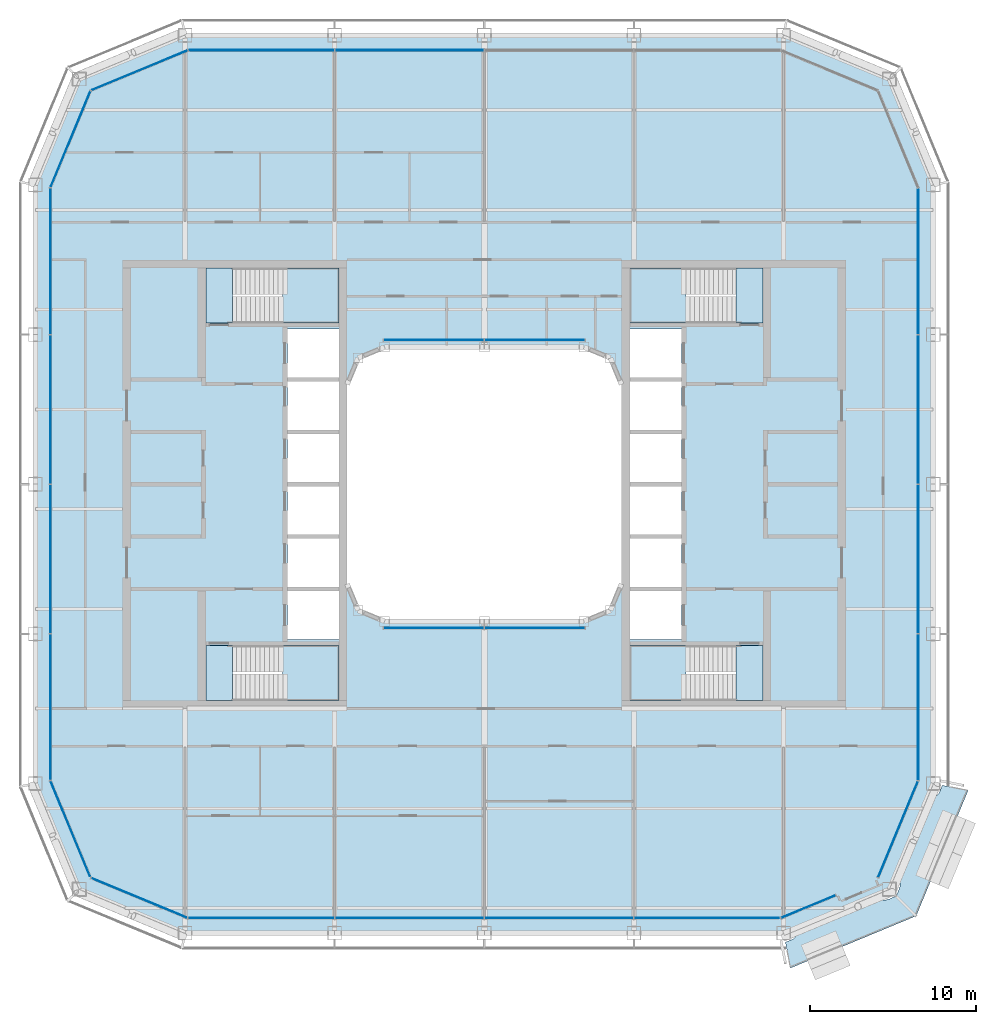
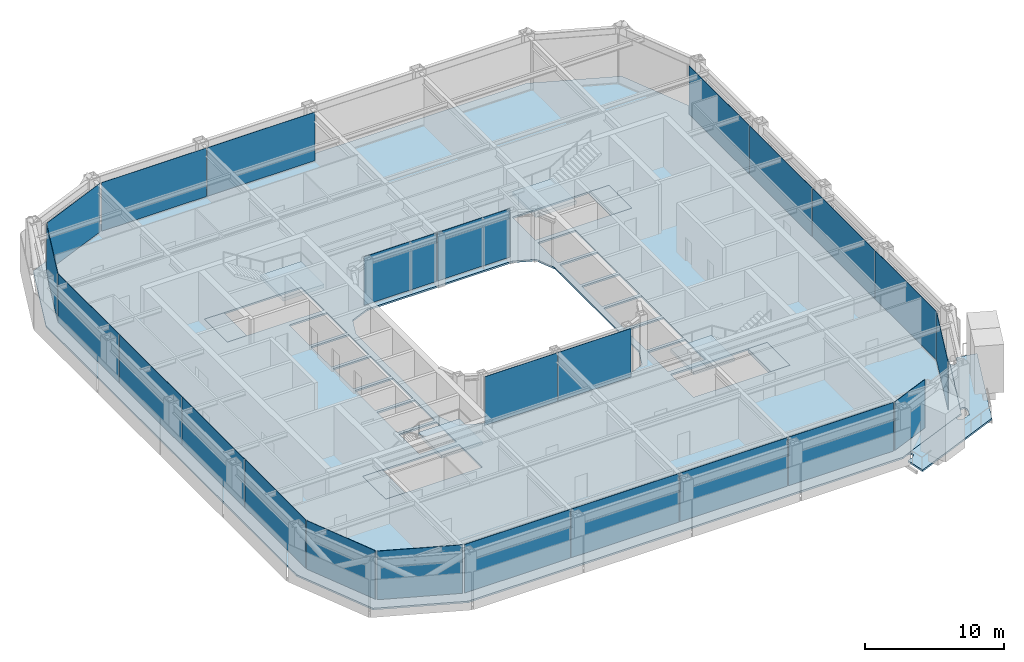
# One storey, part 11 of 22: 24 plates, 10 slabs, 16 elements without a shape of their own.
"""IFC4 building model written with IfcOpenShell, lengths in metres."""

import ifcopenshell
import ifcopenshell.guid

model = None  # the IFC model being written
_history = None  # IfcOwnerHistory: only IFC2X3 demands one
_inside = {}  # id of a spatial element -> (the spatial element, [elements in it])
_under = {}  # id of a project, library or spatial element -> (it, [spatial elements below it])
_declared = {}  # id of a project -> (the project, [libraries it declares])
_typed = {}  # id of a type object -> (the type object, [elements of that type])
_made_of = {}  # id of a material, layer set ... -> (it, [elements and type objects made of it])


def new_model(schema):
    """Start an empty IFC model of exactly this schema.

    Asked for "IFC4X3", IfcOpenShell would pick the latest addendum, in which some entities
    have other attributes; the version numbers below select the first issue.
    IFC2X3 requires an IfcOwnerHistory on every rooted entity: one is made here for all.
    """
    global model, _history
    if schema == "IFC4X3":
        model = ifcopenshell.file(schema_version=(4, 3, 0, 0))
    else:
        model = ifcopenshell.file(schema=schema)
    _inside.clear()
    _under.clear()
    _declared.clear()
    _typed.clear()
    _made_of.clear()
    _history = None
    if model.schema == "IFC2X3":
        org = make("IfcOrganization", Name="unknown")
        user = make(
            "IfcPersonAndOrganization",
            ThePerson=make("IfcPerson", FamilyName="unknown"),
            TheOrganization=org,
        )
        app = make(
            "IfcApplication",
            ApplicationDeveloper=org,
            Version="unknown",
            ApplicationFullName="unknown",
            ApplicationIdentifier="unknown",
        )
        _history = make(
            "IfcOwnerHistory",
            OwningUser=user,
            OwningApplication=app,
            ChangeAction="ADDED",
            CreationDate=0,
        )
    return model


def make(cls, **values):
    """One entity of the class cls with the attributes given. An attribute that is None is left unset."""
    return model.create_entity(
        cls, **{name: value for name, value in values.items() if value is not None}
    )


def rooted(cls, **values):
    """An entity with a GlobalId (a new one), such as an element, a storey or a relation."""
    return make(cls, GlobalId=ifcopenshell.guid.new(), OwnerHistory=_history, **values)


def si_unit(unit_type, name, prefix=None):
    """IfcSIUnit, for example si_unit("LENGTHUNIT", "METRE", prefix="MILLI")."""
    return make("IfcSIUnit", UnitType=unit_type, Prefix=prefix, Name=name)


def assignment(units):
    """IfcUnitAssignment: the units of a project."""
    return None if units is None else make("IfcUnitAssignment", Units=units)


def point(xyz):
    """IfcCartesianPoint."""
    return None if xyz is None else make("IfcCartesianPoint", Coordinates=xyz)


def direction(xyz):
    """IfcDirection."""
    return None if xyz is None else make("IfcDirection", DirectionRatios=xyz)


def frame(location, z_axis=None, x_axis=None):
    """IfcAxis2Placement3D, a coordinate frame: its origin and axes. An axis left out is left unset."""
    return make(
        "IfcAxis2Placement3D",
        Location=point(location),
        Axis=direction(z_axis),
        RefDirection=direction(x_axis),
    )


def frame_2d(location, x_axis=None):
    """IfcAxis2Placement2D, a coordinate frame in the plane: its origin and x axis."""
    return make(
        "IfcAxis2Placement2D", Location=point(location), RefDirection=direction(x_axis)
    )


def origin():
    """The frame at (0, 0, 0) with its axes left unset."""
    return frame((0.0, 0.0, 0.0))


def origin_2d():
    """The frame at (0, 0) in the plane with its x axis left unset."""
    return frame_2d((0.0, 0.0))


def place(relative_to, where):
    """IfcLocalPlacement: puts the frame where relative to a parent placement (None: the world)."""
    return make(
        "IfcLocalPlacement", PlacementRelTo=relative_to, RelativePlacement=where
    )


def context(
    kind, dimensions, precision=None, world=None, true_north=None, identifier=None
):
    """IfcGeometricRepresentationContext, for example the 3D "Model" context."""
    return make(
        "IfcGeometricRepresentationContext",
        ContextIdentifier=identifier,
        ContextType=kind,
        CoordinateSpaceDimension=dimensions,
        Precision=precision,
        WorldCoordinateSystem=world,
        TrueNorth=true_north,
    )


def subcontext(parent, identifier, kind, view, scale=None):
    """IfcGeometricRepresentationSubContext, for example "Body" below "Model"."""
    return make(
        "IfcGeometricRepresentationSubContext",
        ContextIdentifier=identifier,
        ContextType=kind,
        ParentContext=parent,
        TargetScale=scale,
        TargetView=view,
    )


def project(units=None, contexts=None):
    """IfcProject with its units and contexts."""
    return rooted(
        "IfcProject",
        Name="project",
        RepresentationContexts=contexts,
        UnitsInContext=assignment(units),
    )


def spatial(cls, under=None, at=None, **own):
    """A site, building, storey or space (cls), placed at a placement, below another one or the project."""
    s = rooted(cls, ObjectPlacement=at, **own)
    if under is not None:
        _under.setdefault(under.id(), (under, []))[1].append(s)
    return s


def polyline(points):
    """IfcPolyline through the points."""
    return make("IfcPolyline", Points=[point(p) for p in points])


def profile(cls, at=None, kind="AREA", **sizes):
    """A parametric profile (cls). Its sizes go by their IFC names, for example OverallWidth=200.0."""
    return make(cls, ProfileType=kind, Position=at, **sizes)


def rectangle(**sizes):
    """IfcRectangleProfileDef."""
    return profile("IfcRectangleProfileDef", **sizes)


def outline(outer, holes=None, kind="AREA"):
    """IfcArbitraryClosedProfileDef: a profile drawn as a closed curve; with holes, ...WithVoids."""
    if holes is None:
        return make("IfcArbitraryClosedProfileDef", ProfileType=kind, OuterCurve=outer)
    return make(
        "IfcArbitraryProfileDefWithVoids",
        ProfileType=kind,
        OuterCurve=outer,
        InnerCurves=holes,
    )


def extrude(swept, where, along, depth):
    """IfcExtrudedAreaSolid: the profile swept, set in the frame where, extruded along a direction by depth."""
    return make(
        "IfcExtrudedAreaSolid",
        SweptArea=swept,
        Position=where,
        ExtrudedDirection=direction(along),
        Depth=depth,
    )


def shape(context_of_items, identifier, shape_type, items):
    """IfcShapeRepresentation: the items that make up one representation, for example the "Body"."""
    return make(
        "IfcShapeRepresentation",
        ContextOfItems=context_of_items,
        RepresentationIdentifier=identifier,
        RepresentationType=shape_type,
        Items=items,
    )


def material(Name=None, Category=None):
    """IfcMaterial."""
    return make("IfcMaterial", Name=Name, Category=Category)


def layer(
    of_material, thickness, ventilated=None, Name=None, Category=None, Priority=None
):
    """IfcMaterialLayer: one layer of a wall or slab, of a material (None: an air gap)."""
    return make(
        "IfcMaterialLayer",
        Material=of_material,
        LayerThickness=thickness,
        IsVentilated=ventilated,
        Name=Name,
        Category=Category,
        Priority=Priority,
    )


def layer_set(layers, Name=None):
    """IfcMaterialLayerSet."""
    return make("IfcMaterialLayerSet", MaterialLayers=layers, LayerSetName=Name)


def made_of(thing, what):
    """Note that an element or type object is made of a material, layer set ...; save() writes the relation."""
    if what is not None:
        _made_of.setdefault(what.id(), (what, []))[1].append(thing)
    return thing


def type_object(cls, material=None, **own):
    """A type object (cls), such as IfcWallType, which elements share."""
    return made_of(rooted(cls, **own), material)


def element(
    cls,
    number,
    at=None,
    inside=None,
    cuts=None,
    type_object=None,
    material=None,
    context=None,
    identifier="Body",
    shape_type=None,
    held_by="IfcProductDefinitionShape",
    body=None,
    shapes=None,
    **own,
):
    """One element of the class cls, such as IfcWall. Its Tag is "e" and its number.

    at: its placement. inside: the storey or other place that contains it. cuts: it is an
    opening in that element (IfcRelVoidsElement). A single representation is given by context,
    identifier, shape_type and body (its items); several are given by shapes. held_by: the class
    of the entity that holds the representations. save() writes the other relations.
    """
    e = rooted(cls, Tag="e%d" % number, ObjectPlacement=at, **own)
    if body is not None:
        shapes = [shape(context, identifier, shape_type, body)]
    if shapes is not None:
        e.Representation = make(held_by, Representations=shapes)
    if inside is not None:
        _inside.setdefault(inside.id(), (inside, []))[1].append(e)
    if cuts is not None:
        rooted(
            "IfcRelVoidsElement", RelatingBuildingElement=cuts, RelatedOpeningElement=e
        )
    if type_object is not None:
        _typed.setdefault(type_object.id(), (type_object, []))[1].append(e)
    return made_of(e, material)


def aggregate(whole, parts):
    """IfcRelAggregates: a whole, such as a stair, and the parts it consists of."""
    return rooted("IfcRelAggregates", RelatingObject=whole, RelatedObjects=parts)


def save(model, path):
    """Write the relations noted so far, then the file.

    IfcRelAggregates (storeys below a building ...), IfcRelContainedInSpatialStructure (elements
    in a storey), IfcRelDefinesByType, IfcRelAssociatesMaterial and IfcRelDeclares: one each for
    every whole, place, type object, material and project.
    """
    for whole, parts in _under.values():
        aggregate(whole, parts)
    for where, things in _inside.values():
        rooted(
            "IfcRelContainedInSpatialStructure",
            RelatedElements=things,
            RelatingStructure=where,
        )
    for kind, things in _typed.values():
        rooted("IfcRelDefinesByType", RelatedObjects=things, RelatingType=kind)
    for what, things in _made_of.values():
        rooted("IfcRelAssociatesMaterial", RelatedObjects=things, RelatingMaterial=what)
    for by, libraries in _declared.values():
        rooted("IfcRelDeclares", RelatingContext=by, RelatedDefinitions=libraries)
    model.write(path)


model = new_model("IFC4")

# Units and contexts
model_context = context("Model", 3, precision=1e-05, world=origin(), true_north=direction((0.0, 1.0)))
body_context = subcontext(model_context, "Body", "Model", "MODEL_VIEW")
ifc_project = project(units=[si_unit("LENGTHUNIT", "METRE"), si_unit("AREAUNIT", "SQUARE_METRE"), si_unit("VOLUMEUNIT", "CUBIC_METRE"), si_unit("PLANEANGLEUNIT", "RADIAN"), si_unit("MASSUNIT", "GRAM", prefix="KILO")], contexts=[model_context])

# Site, building, storey
site_placement = place(None, origin())
site = spatial("IfcSite", under=ifc_project, at=site_placement, CompositionType="ELEMENT")
building_placement = place(site_placement, origin())
building = spatial("IfcBuilding", under=site, at=building_placement, Name="Siwar Civic Tower", CompositionType="ELEMENT")
storey_placement = place(building_placement, frame((0.0, 0.0, 219.699951171875)))
storey = spatial("IfcBuildingStorey", under=building, at=storey_placement, Name="L47", CompositionType="ELEMENT", Elevation=219.699951171875)

# Stair, slabs
ifc_material_1 = material(Name="Concrete C40/50", Category="concrete")
stair_type = type_object("IfcStairType", Name="CORE-STAIR", PredefinedType="TWO_STRAIGHT_RUN_STAIR", material=ifc_material_1)
stair_1_placement = place(storey_placement, origin())
stair_1 = element("IfcStair", 1, at=stair_1_placement, inside=storey, type_object=stair_type, Name="Exit stair ST1", PredefinedType="TWO_STRAIGHT_RUN_STAIR")
ifc_material_2 = material(Name="Concrete C40/50", Category="concrete")
ifc_layer_1 = layer(ifc_material_2, 0.300048828125)
ifc_layer_set_1 = layer_set([ifc_layer_1], Name="Concrete C40/50")
slab_type_1 = type_object("IfcSlabType", Name="CORE-STAIR-LANDING", PredefinedType="LANDING", material=ifc_layer_set_1)
slab_1_placement = place(storey_placement, frame((0.0, 0.0, -0.300048828125)))
slab_1 = element("IfcSlab", 2, at=slab_1_placement, type_object=slab_type_1, Name="ST1 landing 1", PredefinedType="LANDING", context=body_context, shape_type="SweptSolid", body=[
    extrude(outline(polyline([(-15.14990234375, 13.0), (-16.75, 13.0), (-16.75, 9.699951171875), (-15.14990234375, 9.699951171875), (-15.14990234375, 13.0)])), origin(), (0.0, 0.0, 1.0), 0.300048828125),
])
slab_2_placement = place(storey_placement, frame((0.0, 0.0, 1.949951171875)))
slab_2 = element("IfcSlab", 3, at=slab_2_placement, type_object=slab_type_1, Name="ST1 landing 2", PredefinedType="LANDING", context=body_context, shape_type="SweptSolid", body=[
    extrude(outline(polyline([(-8.75, 13.0), (-12.139892578125, 13.0), (-12.139892578125, 9.699951171875), (-8.75, 9.699951171875), (-8.75, 13.0)])), origin(), (0.0, 0.0, 1.0), 0.300048828125),
])
aggregate(stair_1, [slab_1, slab_2])

stair_2_placement = place(storey_placement, origin())
stair_2 = element("IfcStair", 4, at=stair_2_placement, inside=storey, type_object=stair_type, Name="Exit stair ST2", PredefinedType="TWO_STRAIGHT_RUN_STAIR")
slab_3_placement = place(storey_placement, frame((0.0, 0.0, -0.300048828125)))
slab_3 = element("IfcSlab", 5, at=slab_3_placement, type_object=slab_type_1, Name="ST2 landing 1", PredefinedType="LANDING", context=body_context, shape_type="SweptSolid", body=[
    extrude(outline(polyline([(-15.14990234375, -9.699951171875), (-16.75, -9.699951171875), (-16.75, -13.0), (-15.14990234375, -13.0), (-15.14990234375, -9.699951171875)])), origin(), (0.0, 0.0, 1.0), 0.300048828125),
])
slab_4_placement = place(storey_placement, frame((0.0, 0.0, 1.949951171875)))
slab_4 = element("IfcSlab", 6, at=slab_4_placement, type_object=slab_type_1, Name="ST2 landing 2", PredefinedType="LANDING", context=body_context, shape_type="SweptSolid", body=[
    extrude(outline(polyline([(-8.75, -9.699951171875), (-12.139892578125, -9.699951171875), (-12.139892578125, -13.0), (-8.75, -13.0), (-8.75, -9.699951171875)])), origin(), (0.0, 0.0, 1.0), 0.300048828125),
])
aggregate(stair_2, [slab_3, slab_4])

stair_3_placement = place(storey_placement, origin())
stair_3 = element("IfcStair", 7, at=stair_3_placement, inside=storey, type_object=stair_type, Name="Exit stair ST3", PredefinedType="TWO_STRAIGHT_RUN_STAIR")
slab_5_placement = place(storey_placement, frame((0.0, 0.0, -0.300048828125)))
slab_5 = element("IfcSlab", 8, at=slab_5_placement, type_object=slab_type_1, Name="ST3 landing 1", PredefinedType="LANDING", context=body_context, shape_type="SweptSolid", body=[
    extrude(outline(polyline([(15.14990234375, 9.699951171875), (16.75, 9.699951171875), (16.75, 13.0), (15.14990234375, 13.0), (15.14990234375, 9.699951171875)])), origin(), (0.0, 0.0, 1.0), 0.300048828125),
])
slab_6_placement = place(storey_placement, frame((0.0, 0.0, 1.949951171875)))
slab_6 = element("IfcSlab", 9, at=slab_6_placement, type_object=slab_type_1, Name="ST3 landing 2", PredefinedType="LANDING", context=body_context, shape_type="SweptSolid", body=[
    extrude(outline(polyline([(8.75, 9.699951171875), (12.139892578125, 9.699951171875), (12.139892578125, 13.0), (8.75, 13.0), (8.75, 9.699951171875)])), origin(), (0.0, 0.0, 1.0), 0.300048828125),
])
aggregate(stair_3, [slab_5, slab_6])

stair_4_placement = place(storey_placement, origin())
stair_4 = element("IfcStair", 10, at=stair_4_placement, inside=storey, type_object=stair_type, Name="Exit stair ST4", PredefinedType="TWO_STRAIGHT_RUN_STAIR")
slab_7_placement = place(storey_placement, frame((0.0, 0.0, -0.300048828125)))
slab_7 = element("IfcSlab", 11, at=slab_7_placement, type_object=slab_type_1, Name="ST4 landing 1", PredefinedType="LANDING", context=body_context, shape_type="SweptSolid", body=[
    extrude(outline(polyline([(15.14990234375, -13.0), (16.75, -13.0), (16.75, -9.699951171875), (15.14990234375, -9.699951171875), (15.14990234375, -13.0)])), origin(), (0.0, 0.0, 1.0), 0.300048828125),
])
slab_8_placement = place(storey_placement, frame((0.0, 0.0, 1.949951171875)))
slab_8 = element("IfcSlab", 12, at=slab_8_placement, type_object=slab_type_1, Name="ST4 landing 2", PredefinedType="LANDING", context=body_context, shape_type="SweptSolid", body=[
    extrude(outline(polyline([(8.75, -13.0), (12.139892578125, -13.0), (12.139892578125, -9.699951171875), (8.75, -9.699951171875), (8.75, -13.0)])), origin(), (0.0, 0.0, 1.0), 0.300048828125),
])
aggregate(stair_4, [slab_7, slab_8])

# Slab
ifc_material_3 = material(Name="Concrete C40/50", Category="concrete")
ifc_layer_2 = layer(ifc_material_3, 0.14990234375)
ifc_layer_set_2 = layer_set([ifc_layer_2], Name="Concrete C40/50")
slab_type_2 = type_object("IfcSlabType", Name="ENV-BALCONY DECK 150", PredefinedType="FLOOR", material=ifc_layer_set_2)
slab_9_placement = place(storey_placement, frame((0.0, 0.0, -0.1494140625)))
element("IfcSlab", 13, at=slab_9_placement, inside=storey, type_object=slab_type_2, Name="Tree balcony deck SE", PredefinedType="FLOOR", context=body_context, shape_type="SweptSolid", body=[
    extrude(outline(polyline([(24.657470703125, -24.82080078125), (24.657470703125, -24.82080078125), (24.649658203125, -24.82421875), (24.40869140625, -24.924560546875), (24.362060546875, -24.94384765625), (24.35986328125, -24.94482421875), (24.305419921875, -24.96533203125), (24.300537109375, -24.967041015625), (24.244873046875, -24.98388671875), (24.238037109375, -24.985595703125), (24.189208984375, -24.99560546875), (24.183837890625, -24.99658203125), (24.13427734375, -25.002685546875), (24.12890625, -25.003173828125), (24.0791015625, -25.006103515625), (24.073974609375, -25.006103515625), (24.024169921875, -25.005615234375), (24.0185546875, -25.00537109375), (24.0126953125, -25.004638671875), (23.970947265625, -24.99755859375), (23.96337890625, -24.995849609375), (23.9560546875, -24.993408203125), (23.922607421875, -24.98046875), (23.91748046875, -24.978271484375), (23.88525390625, -24.962646484375), (23.880615234375, -24.96044921875), (23.849365234375, -24.942626953125), (23.84326171875, -24.93896484375), (23.837646484375, -24.9345703125), (23.83251953125, -24.9296875), (23.810546875, -24.906982421875), (23.804931640625, -24.900634765625), (23.80029296875, -24.8935546875), (23.796142578125, -24.885986328125), (23.78369140625, -24.85888671875), (23.78173828125, -24.85400390625), (23.771240234375, -24.826171875), (23.768798828125, -24.818115234375), (23.76708984375, -24.8095703125), (23.7666015625, -24.80126953125), (23.765869140625, -24.769775390625), (23.76611328125, -24.762451171875), (23.766845703125, -24.75537109375), (23.7685546875, -24.74853515625), (23.77783203125, -24.7138671875), (23.779541015625, -24.708984375), (23.791259765625, -24.675048828125), (23.793212890625, -24.669921875), (23.8076171875, -24.636962890625), (23.81103515625, -24.630126953125), (23.815185546875, -24.62353515625), (23.839599609375, -24.5888671875), (23.84326171875, -24.58447265625), (23.846923828125, -24.580078125), (23.85009765625, -24.57666015625), (18.531494140625, -26.77978515625), (18.5654296875, -26.7802734375), (18.5712890625, -26.780517578125), (18.576904296875, -26.78125), (18.61865234375, -26.788330078125), (18.626220703125, -26.789794921875), (18.633544921875, -26.792236328125), (18.6669921875, -26.805419921875), (18.672119140625, -26.8076171875), (18.70458984375, -26.822998046875), (18.709228515625, -26.825439453125), (18.740234375, -26.84326171875), (18.746337890625, -26.846923828125), (18.751953125, -26.851318359375), (18.75732421875, -26.856201171875), (18.779052734375, -26.87890625), (18.78466796875, -26.88525390625), (18.78955078125, -26.892333984375), (18.79345703125, -26.899658203125), (18.805908203125, -26.927001953125), (18.80810546875, -26.931884765625), (18.818603515625, -26.959716796875), (18.821044921875, -26.9677734375), (18.82275390625, -26.97607421875), (18.8232421875, -26.984619140625), (18.823974609375, -27.01611328125), (18.82373046875, -27.023193359375), (18.82275390625, -27.0302734375), (18.8212890625, -27.037353515625), (18.811767578125, -27.072021484375), (18.810302734375, -27.076904296875), (18.79833984375, -27.11083984375), (18.79638671875, -27.115966796875), (18.7822265625, -27.14892578125), (18.77880859375, -27.15576171875), (18.774658203125, -27.162353515625), (18.75, -27.197021484375), (18.74658203125, -27.201416015625), (18.74267578125, -27.205810546875), (18.7080078125, -27.241455078125), (18.704345703125, -27.2451171875), (18.667236328125, -27.278564453125), (18.663330078125, -27.281982421875), (18.623779296875, -27.312744140625), (18.619384765625, -27.31591796875), (18.577880859375, -27.343505859375), (18.57177734375, -27.34716796875), (18.520751953125, -27.374755859375), (18.51611328125, -27.377197265625), (18.463134765625, -27.4013671875), (18.4609375, -27.40234375), (18.453125, -27.405517578125), (18.425048828125, -27.417236328125), (18.425048828125, -27.425048828125), (18.406494140625, -27.425048828125), (18.17333984375, -27.522216796875), (18.16552734375, -27.525390625), (18.16552734375, -27.525390625), (18.15869140625, -27.52783203125), (18.13916015625, -27.533935546875), (18.13232421875, -27.53564453125), (18.12548828125, -27.53662109375), (18.107177734375, -27.538818359375), (18.417724609375, -29.10009765625), (25.97119140625, -25.97119140625), (29.10009765625, -18.417724609375), (27.5361328125, -18.106689453125), (27.5361328125, -18.107421875), (27.535400390625, -18.1240234375), (27.53466796875, -18.1328125), (27.53271484375, -18.141357421875), (27.5283203125, -18.156982421875), (27.525390625, -18.16552734375), (27.5234375, -18.170166015625), (27.522216796875, -18.17333984375), (27.515625, -18.18896484375), (27.49951171875, -18.227783203125), (27.494140625, -18.240234375), (27.425048828125, -18.406494140625), (27.425048828125, -18.425048828125), (27.417236328125, -18.425048828125), (27.405517578125, -18.453125), (27.40234375, -18.4609375), (27.4013671875, -18.463134765625), (27.377197265625, -18.51611328125), (27.374755859375, -18.520751953125), (27.34716796875, -18.57177734375), (27.343505859375, -18.577880859375), (27.31591796875, -18.619384765625), (27.312744140625, -18.623779296875), (27.281982421875, -18.663330078125), (27.278564453125, -18.667236328125), (27.2451171875, -18.704345703125), (27.241455078125, -18.7080078125), (27.205810546875, -18.74267578125), (27.201416015625, -18.74658203125), (27.197021484375, -18.75), (27.162353515625, -18.774658203125), (27.15576171875, -18.77880859375), (27.14892578125, -18.7822265625), (27.115966796875, -18.79638671875), (27.11083984375, -18.79833984375), (27.076904296875, -18.810302734375), (27.072021484375, -18.811767578125), (27.037353515625, -18.8212890625), (27.0302734375, -18.82275390625), (27.023193359375, -18.82373046875), (27.01611328125, -18.823974609375), (26.984619140625, -18.8232421875), (26.97607421875, -18.82275390625), (26.9677734375, -18.821044921875), (26.959716796875, -18.818603515625), (26.931884765625, -18.80810546875), (26.927001953125, -18.805908203125), (26.899658203125, -18.79345703125), (26.892333984375, -18.78955078125), (26.88525390625, -18.78466796875), (26.87890625, -18.779052734375), (26.856201171875, -18.75732421875), (26.851318359375, -18.751953125), (26.846923828125, -18.746337890625), (26.84326171875, -18.740234375), (26.825439453125, -18.709228515625), (26.822998046875, -18.70458984375), (26.8076171875, -18.672119140625), (26.805419921875, -18.6669921875), (26.792236328125, -18.633544921875), (26.789794921875, -18.626220703125), (26.788330078125, -18.61865234375), (26.78125, -18.576904296875), (26.780517578125, -18.5712890625), (26.7802734375, -18.5654296875), (26.77978515625, -18.531494140625), (24.57666015625, -23.85009765625), (24.580078125, -23.846923828125), (24.58447265625, -23.84326171875), (24.5888671875, -23.839599609375), (24.62353515625, -23.815185546875), (24.630126953125, -23.81103515625), (24.636962890625, -23.8076171875), (24.669921875, -23.793212890625), (24.675048828125, -23.791259765625), (24.708984375, -23.779541015625), (24.7138671875, -23.77783203125), (24.74853515625, -23.7685546875), (24.75537109375, -23.766845703125), (24.762451171875, -23.76611328125), (24.769775390625, -23.765869140625), (24.80126953125, -23.7666015625), (24.8095703125, -23.76708984375), (24.818115234375, -23.768798828125), (24.826171875, -23.771240234375), (24.85400390625, -23.78173828125), (24.85888671875, -23.78369140625), (24.885986328125, -23.796142578125), (24.8935546875, -23.80029296875), (24.900634765625, -23.804931640625), (24.906982421875, -23.810546875), (24.9296875, -23.83251953125), (24.9345703125, -23.837646484375), (24.93896484375, -23.84326171875), (24.942626953125, -23.849365234375), (24.96044921875, -23.880615234375), (24.962646484375, -23.88525390625), (24.978271484375, -23.91748046875), (24.98046875, -23.922607421875), (24.993408203125, -23.9560546875), (24.995849609375, -23.96337890625), (24.99755859375, -23.970947265625), (25.004638671875, -24.0126953125), (25.00537109375, -24.0185546875), (25.005615234375, -24.024169921875), (25.006103515625, -24.073974609375), (25.006103515625, -24.0791015625), (25.003173828125, -24.12890625), (25.002685546875, -24.13427734375), (24.99658203125, -24.183837890625), (24.99560546875, -24.189208984375), (24.985595703125, -24.238037109375), (24.98388671875, -24.244873046875), (24.967041015625, -24.300537109375), (24.96533203125, -24.305419921875), (24.94482421875, -24.35986328125), (24.94384765625, -24.362060546875), (24.924560546875, -24.40869140625), (24.82421875, -24.649658203125), (24.82080078125, -24.657470703125), (24.81689453125, -24.66552734375), (24.808837890625, -24.6796875), (24.80419921875, -24.68701171875), (24.798583984375, -24.693603515625), (24.7890625, -24.7041015625), (24.7890625, -24.7890625), (24.712646484375, -24.7890625), (24.695556640625, -24.801025390625), (24.686279296875, -24.806640625), (24.662353515625, -24.818603515625), (24.657470703125, -24.82080078125), (24.657470703125, -24.82080078125), (24.657470703125, -24.82080078125), (24.657470703125, -24.82080078125)])), origin(), (0.0, 0.0, 1.0), 0.1494140625),
])

# Curtain wall, plates
ifc_material_4 = material(Name="Aluminium and glass", Category="aluminium")
ifc_layer_3 = layer(ifc_material_4, 0.179931640625)
ifc_layer_set_3 = layer_set([ifc_layer_3], Name="Aluminium and glass")
curtain_wall_type_1 = type_object("IfcCurtainWallType", Name="ENV-CW-C", PredefinedType="NOTDEFINED", material=ifc_layer_set_3)
curtain_wall_1_placement = place(storey_placement, origin())
curtain_wall_1 = element("IfcCurtainWall", 14, at=curtain_wall_1_placement, inside=storey, type_object=curtain_wall_type_1, Name="Curtain wall C S", PredefinedType="NOTDEFINED")
ifc_material_5 = material(Name="Glass clear laminated", Category="glass")
ifc_layer_4 = layer(ifc_material_5, 0.031982421875)
ifc_layer_set_4 = layer_set([ifc_layer_4], Name="Glass clear laminated")
plate_type_1 = type_object("IfcPlateType", Name="ENV-PANEL-C", PredefinedType="CURTAIN_PANEL", material=ifc_layer_set_4)
plate_1_placement = place(storey_placement, frame((-13.410400390625, -26.10009765625, 0.10009765625), z_axis=(0.0, 0.0, 1.0), x_axis=(1.0, 0.0, 0.0)))
plate_1 = element("IfcPlate", 15, at=plate_1_placement, type_object=plate_type_1, Name="Curtain panel C S 1", PredefinedType="CURTAIN_PANEL", context=body_context, shape_type="SweptSolid", body=[
    extrude(rectangle(XDim=8.760986328125, YDim=0.031982421875, at=origin_2d()), origin(), (0.0, 0.0, 1.0), 4.25),
])
plate_2_placement = place(storey_placement, frame((-4.5, -26.10009765625, 0.10009765625), z_axis=(0.0, 0.0, 1.0), x_axis=(1.0, 0.0, 0.0)))
plate_2 = element("IfcPlate", 16, at=plate_2_placement, type_object=plate_type_1, Name="Curtain panel C S 2", PredefinedType="CURTAIN_PANEL", context=body_context, shape_type="SweptSolid", body=[
    extrude(rectangle(XDim=8.93994140625, YDim=0.031982421875, at=origin_2d()), origin(), (0.0, 0.0, 1.0), 4.25),
])
plate_3_placement = place(storey_placement, frame((4.5, -26.10009765625, 0.10009765625), z_axis=(0.0, 0.0, 1.0), x_axis=(1.0, 0.0, 0.0)))
plate_3 = element("IfcPlate", 17, at=plate_3_placement, type_object=plate_type_1, Name="Curtain panel C S 3", PredefinedType="CURTAIN_PANEL", context=body_context, shape_type="SweptSolid", body=[
    extrude(rectangle(XDim=8.93994140625, YDim=0.031982421875, at=origin_2d()), origin(), (0.0, 0.0, 1.0), 4.25),
])
plate_4_placement = place(storey_placement, frame((13.373046875, -26.10009765625, 0.10009765625), z_axis=(0.0, 0.0, 1.0), x_axis=(1.0, 0.0, 0.0)))
plate_4 = element("IfcPlate", 18, at=plate_4_placement, type_object=plate_type_1, Name="Curtain panel C S 4", PredefinedType="CURTAIN_PANEL", context=body_context, shape_type="SweptSolid", body=[
    extrude(rectangle(XDim=8.68603515625, YDim=0.031982421875, at=origin_2d()), origin(), (0.0, 0.0, 1.0), 4.25),
])
aggregate(curtain_wall_1, [plate_1, plate_2, plate_3, plate_4])

curtain_wall_2_placement = place(storey_placement, origin())
curtain_wall_2 = element("IfcCurtainWall", 19, at=curtain_wall_2_placement, inside=storey, type_object=curtain_wall_type_1, Name="Curtain wall C E", PredefinedType="NOTDEFINED")
plate_5_placement = place(storey_placement, frame((26.10009765625, -13.410400390625, 0.10009765625), z_axis=(0.0, 0.0, 1.0), x_axis=(0.0, 1.0, 0.0)))
plate_5 = element("IfcPlate", 20, at=plate_5_placement, type_object=plate_type_1, Name="Curtain panel C E 1", PredefinedType="CURTAIN_PANEL", context=body_context, shape_type="SweptSolid", body=[
    extrude(rectangle(XDim=8.760986328125, YDim=0.031982421875, at=origin_2d()), origin(), (0.0, 0.0, 1.0), 4.25),
])
plate_6_placement = place(storey_placement, frame((26.10009765625, -4.5, 0.10009765625), z_axis=(0.0, 0.0, 1.0), x_axis=(0.0, 1.0, 0.0)))
plate_6 = element("IfcPlate", 21, at=plate_6_placement, type_object=plate_type_1, Name="Curtain panel C E 2", PredefinedType="CURTAIN_PANEL", context=body_context, shape_type="SweptSolid", body=[
    extrude(rectangle(XDim=8.93994140625, YDim=0.031982421875, at=origin_2d()), origin(), (0.0, 0.0, 1.0), 4.25),
])
plate_7_placement = place(storey_placement, frame((26.10009765625, 4.5, 0.10009765625), z_axis=(0.0, 0.0, 1.0), x_axis=(0.0, 1.0, 0.0)))
plate_7 = element("IfcPlate", 22, at=plate_7_placement, type_object=plate_type_1, Name="Curtain panel C E 3", PredefinedType="CURTAIN_PANEL", context=body_context, shape_type="SweptSolid", body=[
    extrude(rectangle(XDim=8.93994140625, YDim=0.031982421875, at=origin_2d()), origin(), (0.0, 0.0, 1.0), 4.25),
])
plate_8_placement = place(storey_placement, frame((26.10009765625, 13.373046875, 0.10009765625), z_axis=(0.0, 0.0, 1.0), x_axis=(0.0, 1.0, 0.0)))
plate_8 = element("IfcPlate", 23, at=plate_8_placement, type_object=plate_type_1, Name="Curtain panel C E 4", PredefinedType="CURTAIN_PANEL", context=body_context, shape_type="SweptSolid", body=[
    extrude(rectangle(XDim=8.68603515625, YDim=0.031982421875, at=origin_2d()), origin(), (0.0, 0.0, 1.0), 4.25),
])
aggregate(curtain_wall_2, [plate_5, plate_6, plate_7, plate_8])

curtain_wall_3_placement = place(storey_placement, origin())
curtain_wall_3 = element("IfcCurtainWall", 24, at=curtain_wall_3_placement, inside=storey, type_object=curtain_wall_type_1, Name="Curtain wall C N", PredefinedType="NOTDEFINED")
plate_9_placement = place(storey_placement, frame((-4.5, 26.10009765625, 0.10009765625), z_axis=(0.0, 0.0, 1.0), x_axis=(-1.0, 0.0, 0.0)))
plate_9 = element("IfcPlate", 25, at=plate_9_placement, type_object=plate_type_1, Name="Curtain panel C N 3", PredefinedType="CURTAIN_PANEL", context=body_context, shape_type="SweptSolid", body=[
    extrude(rectangle(XDim=8.93994140625, YDim=0.031982421875, at=origin_2d()), origin(), (0.0, 0.0, 1.0), 4.25),
])
plate_10_placement = place(storey_placement, frame((-13.373046875, 26.10009765625, 0.10009765625), z_axis=(0.0, 0.0, 1.0), x_axis=(-1.0, 0.0, 0.0)))
plate_10 = element("IfcPlate", 26, at=plate_10_placement, type_object=plate_type_1, Name="Curtain panel C N 4", PredefinedType="CURTAIN_PANEL", context=body_context, shape_type="SweptSolid", body=[
    extrude(rectangle(XDim=8.68603515625, YDim=0.031982421875, at=origin_2d()), origin(), (0.0, 0.0, 1.0), 4.25),
])
aggregate(curtain_wall_3, [plate_9, plate_10])

curtain_wall_4_placement = place(storey_placement, origin())
curtain_wall_4 = element("IfcCurtainWall", 27, at=curtain_wall_4_placement, inside=storey, type_object=curtain_wall_type_1, Name="Curtain wall C W", PredefinedType="NOTDEFINED")
plate_11_placement = place(storey_placement, frame((-26.10009765625, 13.410400390625, 0.10009765625), z_axis=(0.0, 0.0, 1.0), x_axis=(0.0, -1.0, 0.0)))
plate_11 = element("IfcPlate", 28, at=plate_11_placement, type_object=plate_type_1, Name="Curtain panel C W 1", PredefinedType="CURTAIN_PANEL", context=body_context, shape_type="SweptSolid", body=[
    extrude(rectangle(XDim=8.760986328125, YDim=0.031982421875, at=origin_2d()), origin(), (0.0, 0.0, 1.0), 4.25),
])
plate_12_placement = place(storey_placement, frame((-26.10009765625, 4.5, 0.10009765625), z_axis=(0.0, 0.0, 1.0), x_axis=(0.0, -1.0, 0.0)))
plate_12 = element("IfcPlate", 29, at=plate_12_placement, type_object=plate_type_1, Name="Curtain panel C W 2", PredefinedType="CURTAIN_PANEL", context=body_context, shape_type="SweptSolid", body=[
    extrude(rectangle(XDim=8.93994140625, YDim=0.031982421875, at=origin_2d()), origin(), (0.0, 0.0, 1.0), 4.25),
])
plate_13_placement = place(storey_placement, frame((-26.10009765625, -4.5, 0.10009765625), z_axis=(0.0, 0.0, 1.0), x_axis=(0.0, -1.0, 0.0)))
plate_13 = element("IfcPlate", 30, at=plate_13_placement, type_object=plate_type_1, Name="Curtain panel C W 3", PredefinedType="CURTAIN_PANEL", context=body_context, shape_type="SweptSolid", body=[
    extrude(rectangle(XDim=8.93994140625, YDim=0.031982421875, at=origin_2d()), origin(), (0.0, 0.0, 1.0), 4.25),
])
plate_14_placement = place(storey_placement, frame((-26.10009765625, -13.373046875, 0.10009765625), z_axis=(0.0, 0.0, 1.0), x_axis=(0.0, -1.0, 0.0)))
plate_14 = element("IfcPlate", 31, at=plate_14_placement, type_object=plate_type_1, Name="Curtain panel C W 4", PredefinedType="CURTAIN_PANEL", context=body_context, shape_type="SweptSolid", body=[
    extrude(rectangle(XDim=8.68603515625, YDim=0.031982421875, at=origin_2d()), origin(), (0.0, 0.0, 1.0), 4.25),
])
aggregate(curtain_wall_4, [plate_11, plate_12, plate_13, plate_14])

# Curtain wall, plate
ifc_material_6 = material(Name="Aluminium clad insulated panel", Category="aluminium")
ifc_layer_5 = layer(ifc_material_6, 0.179931640625)
ifc_layer_set_5 = layer_set([ifc_layer_5], Name="Aluminium clad insulated panel")
curtain_wall_type_2 = type_object("IfcCurtainWallType", Name="ENV-CW-CX", PredefinedType="NOTDEFINED", material=ifc_layer_set_5)
curtain_wall_5_placement = place(storey_placement, origin())
curtain_wall_5 = element("IfcCurtainWall", 32, at=curtain_wall_5_placement, inside=storey, type_object=curtain_wall_type_2, Name="Curtain wall C SE1", PredefinedType="NOTDEFINED")
ifc_material_7 = material(Name="Aluminium clad insulated panel", Category="aluminium")
ifc_layer_6 = layer(ifc_material_7, 0.031982421875)
ifc_layer_set_6 = layer_set([ifc_layer_6], Name="Aluminium clad insulated panel")
plate_type_2 = type_object("IfcPlateType", Name="ENV-PANEL-CX", PredefinedType="CURTAIN_PANEL", material=ifc_layer_set_6)
plate_15_placement = place(storey_placement, frame((19.4873046875, -25.40966796875, 0.10009765625), z_axis=(0.0, 0.0, 1.0), x_axis=(0.923879532511, 0.382683432365, 0.0)))
plate_15 = element("IfcPlate", 33, at=plate_15_placement, type_object=plate_type_2, Name="Curtain panel C SE1 1", PredefinedType="CURTAIN_PANEL", context=body_context, shape_type="SweptSolid", body=[
    extrude(rectangle(XDim=3.54736328125, YDim=0.031982421875, at=origin_2d()), origin(), (0.0, 0.0, 1.0), 4.25),
])
aggregate(curtain_wall_5, [plate_15])

curtain_wall_6_placement = place(storey_placement, origin())
curtain_wall_6 = element("IfcCurtainWall", 34, at=curtain_wall_6_placement, inside=storey, type_object=curtain_wall_type_2, Name="Curtain wall C SE2", PredefinedType="NOTDEFINED")
plate_16_placement = place(storey_placement, frame((24.873291015625, -20.78271484375, 0.10009765625), z_axis=(0.0, 0.0, 1.0), x_axis=(0.382683432365, 0.923879532511, 0.0)))
plate_16 = element("IfcPlate", 35, at=plate_16_placement, type_object=plate_type_2, Name="Curtain panel C SE2 1", PredefinedType="CURTAIN_PANEL", context=body_context, shape_type="SweptSolid", body=[
    extrude(rectangle(XDim=6.20166015625, YDim=0.031982421875, at=origin_2d()), origin(), (0.0, 0.0, 1.0), 4.25),
])
aggregate(curtain_wall_6, [plate_16])

curtain_wall_7_placement = place(storey_placement, origin())
curtain_wall_7 = element("IfcCurtainWall", 36, at=curtain_wall_7_placement, inside=storey, type_object=curtain_wall_type_2, Name="Curtain wall C NW1", PredefinedType="NOTDEFINED")
plate_17_placement = place(storey_placement, frame((-20.71337890625, 24.90185546875, 0.10009765625), z_axis=(0.0, 0.0, 1.0), x_axis=(-0.923879532511, -0.382683432365, 0.0)))
plate_17 = element("IfcPlate", 37, at=plate_17_placement, type_object=plate_type_2, Name="Curtain panel C NW1 1", PredefinedType="CURTAIN_PANEL", context=body_context, shape_type="SweptSolid", body=[
    extrude(rectangle(XDim=6.20166015625, YDim=0.031982421875, at=origin_2d()), origin(), (0.0, 0.0, 1.0), 4.25),
])
aggregate(curtain_wall_7, [plate_17])

curtain_wall_8_placement = place(storey_placement, origin())
curtain_wall_8 = element("IfcCurtainWall", 38, at=curtain_wall_8_placement, inside=storey, type_object=curtain_wall_type_2, Name="Curtain wall C NW2", PredefinedType="NOTDEFINED")
plate_18_placement = place(storey_placement, frame((-24.873291015625, 20.78271484375, 0.10009765625), z_axis=(0.0, 0.0, 1.0), x_axis=(-0.382683432365, -0.923879532511, 0.0)))
plate_18 = element("IfcPlate", 39, at=plate_18_placement, type_object=plate_type_2, Name="Curtain panel C NW2 1", PredefinedType="CURTAIN_PANEL", context=body_context, shape_type="SweptSolid", body=[
    extrude(rectangle(XDim=6.20166015625, YDim=0.031982421875, at=origin_2d()), origin(), (0.0, 0.0, 1.0), 4.25),
])
aggregate(curtain_wall_8, [plate_18])

curtain_wall_9_placement = place(storey_placement, origin())
curtain_wall_9 = element("IfcCurtainWall", 40, at=curtain_wall_9_placement, inside=storey, type_object=curtain_wall_type_2, Name="Curtain wall C SW1", PredefinedType="NOTDEFINED")
plate_19_placement = place(storey_placement, frame((-24.90185546875, -20.71337890625, 0.10009765625), z_axis=(0.0, 0.0, 1.0), x_axis=(0.382683432365, -0.923879532511, 0.0)))
plate_19 = element("IfcPlate", 41, at=plate_19_placement, type_object=plate_type_2, Name="Curtain panel C SW1 1", PredefinedType="CURTAIN_PANEL", context=body_context, shape_type="SweptSolid", body=[
    extrude(rectangle(XDim=6.20166015625, YDim=0.031982421875, at=origin_2d()), origin(), (0.0, 0.0, 1.0), 4.25),
])
aggregate(curtain_wall_9, [plate_19])

curtain_wall_10_placement = place(storey_placement, origin())
curtain_wall_10 = element("IfcCurtainWall", 42, at=curtain_wall_10_placement, inside=storey, type_object=curtain_wall_type_2, Name="Curtain wall C SW2", PredefinedType="NOTDEFINED")
plate_20_placement = place(storey_placement, frame((-20.78271484375, -24.873291015625, 0.10009765625), z_axis=(0.0, 0.0, 1.0), x_axis=(0.923879532511, -0.382683432365, 0.0)))
plate_20 = element("IfcPlate", 43, at=plate_20_placement, type_object=plate_type_2, Name="Curtain panel C SW2 1", PredefinedType="CURTAIN_PANEL", context=body_context, shape_type="SweptSolid", body=[
    extrude(rectangle(XDim=6.20166015625, YDim=0.031982421875, at=origin_2d()), origin(), (0.0, 0.0, 1.0), 4.25),
])
aggregate(curtain_wall_10, [plate_20])

# Curtain wall, plates
ifc_material_8 = material(Name="Aluminium and glass", Category="aluminium")
ifc_layer_7 = layer(ifc_material_8, 0.179931640625)
ifc_layer_set_7 = layer_set([ifc_layer_7], Name="Aluminium and glass")
curtain_wall_type_3 = type_object("IfcCurtainWallType", Name="ENV-CW-W", PredefinedType="NOTDEFINED", material=ifc_layer_set_7)
curtain_wall_11_placement = place(storey_placement, origin())
curtain_wall_11 = element("IfcCurtainWall", 44, at=curtain_wall_11_placement, inside=storey, type_object=curtain_wall_type_3, Name="Curtain wall W WS", PredefinedType="NOTDEFINED")
ifc_material_9 = material(Name="Glass clear laminated", Category="glass")
ifc_layer_8 = layer(ifc_material_9, 0.031982421875)
ifc_layer_set_8 = layer_set([ifc_layer_8], Name="Glass clear laminated")
plate_type_3 = type_object("IfcPlateType", Name="ENV-PANEL-W", PredefinedType="CURTAIN_PANEL", material=ifc_layer_set_8)
plate_21_placement = place(storey_placement, frame((-3.040771484375, -8.659912109375, 0.10009765625), z_axis=(0.0, 0.0, 1.0), x_axis=(1.0, 0.0, 0.0)))
plate_21 = element("IfcPlate", 45, at=plate_21_placement, type_object=plate_type_3, Name="Curtain panel W WS 1", PredefinedType="CURTAIN_PANEL", context=body_context, shape_type="SweptSolid", body=[
    extrude(rectangle(XDim=6.021484375, YDim=0.031982421875, at=origin_2d()), origin(), (0.0, 0.0, 1.0), 4.25),
])
plate_22_placement = place(storey_placement, frame((3.040771484375, -8.659912109375, 0.10009765625), z_axis=(0.0, 0.0, 1.0), x_axis=(1.0, 0.0, 0.0)))
plate_22 = element("IfcPlate", 46, at=plate_22_placement, type_object=plate_type_3, Name="Curtain panel W WS 2", PredefinedType="CURTAIN_PANEL", context=body_context, shape_type="SweptSolid", body=[
    extrude(rectangle(XDim=6.021484375, YDim=0.031982421875, at=origin_2d()), origin(), (0.0, 0.0, 1.0), 4.25),
])
aggregate(curtain_wall_11, [plate_21, plate_22])

curtain_wall_12_placement = place(storey_placement, origin())
curtain_wall_12 = element("IfcCurtainWall", 47, at=curtain_wall_12_placement, inside=storey, type_object=curtain_wall_type_3, Name="Curtain wall W WN", PredefinedType="NOTDEFINED")
plate_23_placement = place(storey_placement, frame((3.040771484375, 8.659912109375, 0.10009765625), z_axis=(0.0, 0.0, 1.0), x_axis=(-1.0, 0.0, 0.0)))
plate_23 = element("IfcPlate", 48, at=plate_23_placement, type_object=plate_type_3, Name="Curtain panel W WN 1", PredefinedType="CURTAIN_PANEL", context=body_context, shape_type="SweptSolid", body=[
    extrude(rectangle(XDim=6.021484375, YDim=0.031982421875, at=origin_2d()), origin(), (0.0, 0.0, 1.0), 4.25),
])
plate_24_placement = place(storey_placement, frame((-3.040771484375, 8.659912109375, 0.10009765625), z_axis=(0.0, 0.0, 1.0), x_axis=(-1.0, 0.0, 0.0)))
plate_24 = element("IfcPlate", 49, at=plate_24_placement, type_object=plate_type_3, Name="Curtain panel W WN 2", PredefinedType="CURTAIN_PANEL", context=body_context, shape_type="SweptSolid", body=[
    extrude(rectangle(XDim=6.021484375, YDim=0.031982421875, at=origin_2d()), origin(), (0.0, 0.0, 1.0), 4.25),
])
aggregate(curtain_wall_12, [plate_23, plate_24])

# Slab
ifc_material_10 = material(Name="Concrete C40/50", Category="concrete")
ifc_layer_9 = layer(ifc_material_10, 0.14990234375)
ifc_layer_set_9 = layer_set([ifc_layer_9], Name="Concrete C40/50")
slab_type_3 = type_object("IfcSlabType", Name="STR-FLOOR-DECK-150", PredefinedType="FLOOR", material=ifc_layer_set_9)
slab_10_placement = place(storey_placement, frame((0.0, 0.0, -0.14990234375)))
element("IfcSlab", 50, at=slab_10_placement, inside=storey, type_object=slab_type_3, Name="L47/slab/1", PredefinedType="FLOOR", context=body_context, shape_type="SweptSolid", body=[
    extrude(outline(polyline([(-18.0, -27.0), (18.0, -27.0), (24.364013671875, -24.364013671875), (27.0, -18.0), (27.0, 18.0), (24.364013671875, 24.364013671875), (18.0, 27.0), (-18.0, 27.0), (-24.364013671875, 24.364013671875), (-27.0, 18.0), (-27.0, -18.0), (-24.364013671875, -24.364013671875), (-18.0, -27.0)]), holes=[polyline([(16.75, 13.0), (16.75, 9.699951171875), (8.75, 9.699951171875), (8.75, 13.0), (16.75, 13.0)]), polyline([(8.75, -9.699951171875), (16.75, -9.699951171875), (16.75, -13.0), (8.75, -13.0), (8.75, -9.699951171875)]), polyline([(11.85009765625, 9.324951171875), (11.85009765625, 6.425048828125), (8.75, 6.425048828125), (8.75, 9.324951171875), (11.85009765625, 9.324951171875)]), polyline([(8.75, 6.175048828125), (11.85009765625, 6.175048828125), (11.85009765625, 3.27490234375), (8.75, 3.27490234375), (8.75, 6.175048828125)]), polyline([(8.75, 3.02490234375), (11.85009765625, 3.02490234375), (11.85009765625, 0.125), (8.75, 0.125), (8.75, 3.02490234375)]), polyline([(8.75, -0.125), (11.85009765625, -0.125), (11.85009765625, -3.02490234375), (8.75, -3.02490234375), (8.75, -0.125)]), polyline([(8.75, -3.27490234375), (11.85009765625, -3.27490234375), (11.85009765625, -6.175048828125), (8.75, -6.175048828125), (8.75, -3.27490234375)]), polyline([(8.75, -6.425048828125), (11.85009765625, -6.425048828125), (11.85009765625, -9.324951171875), (8.75, -9.324951171875), (8.75, -6.425048828125)]), polyline([(-6.0, 8.25), (6.0, 8.25), (7.591064453125, 7.591064453125), (8.25, 6.0), (8.25, -6.0), (7.591064453125, -7.591064453125), (6.0, -8.25), (-6.0, -8.25), (-7.591064453125, -7.591064453125), (-8.25, -6.0), (-8.25, 6.0), (-7.591064453125, 7.591064453125), (-6.0, 8.25)]), polyline([(-8.75, -13.0), (-16.75, -13.0), (-16.75, -9.699951171875), (-8.75, -9.699951171875), (-8.75, -13.0)]), polyline([(-8.75, 9.699951171875), (-16.75, 9.699951171875), (-16.75, 13.0), (-8.75, 13.0), (-8.75, 9.699951171875)]), polyline([(-8.75, 6.425048828125), (-11.85009765625, 6.425048828125), (-11.85009765625, 9.324951171875), (-8.75, 9.324951171875), (-8.75, 6.425048828125)]), polyline([(-8.75, 3.27490234375), (-11.85009765625, 3.27490234375), (-11.85009765625, 6.175048828125), (-8.75, 6.175048828125), (-8.75, 3.27490234375)]), polyline([(-8.75, 0.125), (-11.85009765625, 0.125), (-11.85009765625, 3.02490234375), (-8.75, 3.02490234375), (-8.75, 0.125)]), polyline([(-8.75, -3.02490234375), (-11.85009765625, -3.02490234375), (-11.85009765625, -0.125), (-8.75, -0.125), (-8.75, -3.02490234375)]), polyline([(-8.75, -6.175048828125), (-11.85009765625, -6.175048828125), (-11.85009765625, -3.27490234375), (-8.75, -3.27490234375), (-8.75, -6.175048828125)]), polyline([(-8.75, -9.324951171875), (-11.85009765625, -9.324951171875), (-11.85009765625, -6.425048828125), (-8.75, -6.425048828125), (-8.75, -9.324951171875)])]), origin(), (0.0, 0.0, 1.0), 0.14990234375),
])

save(model, "model.ifc")
